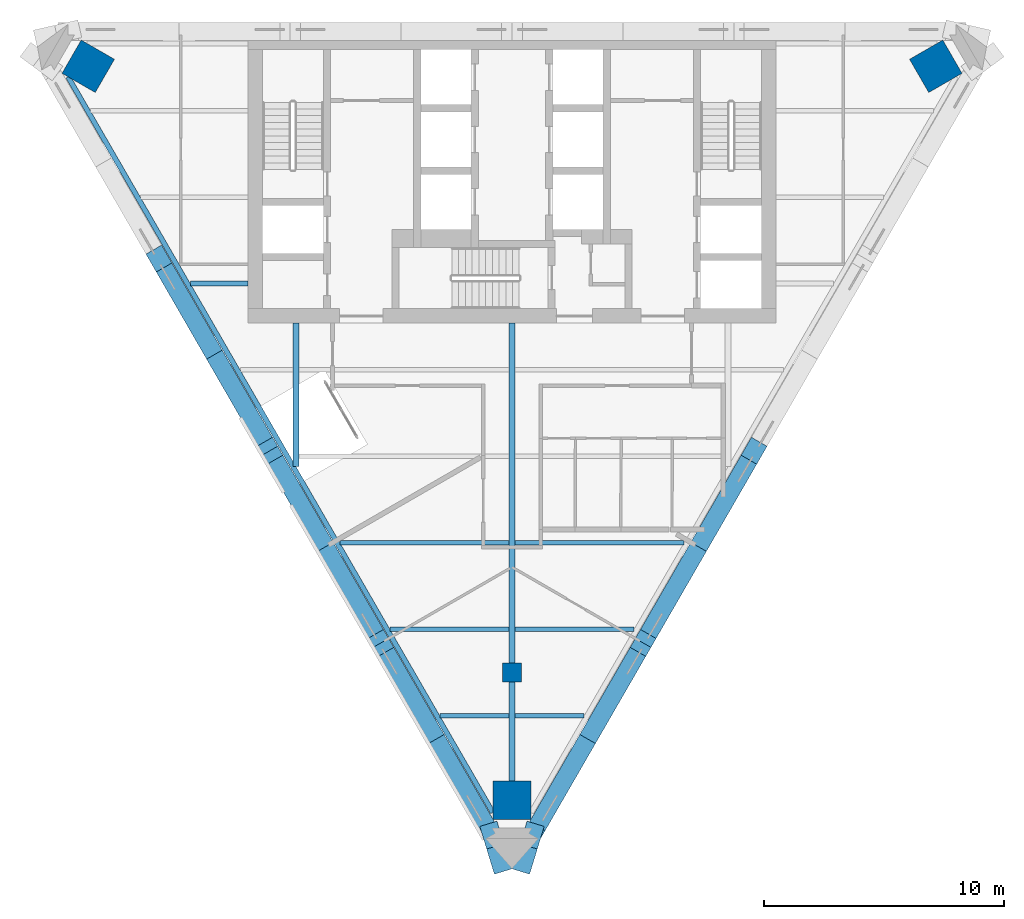
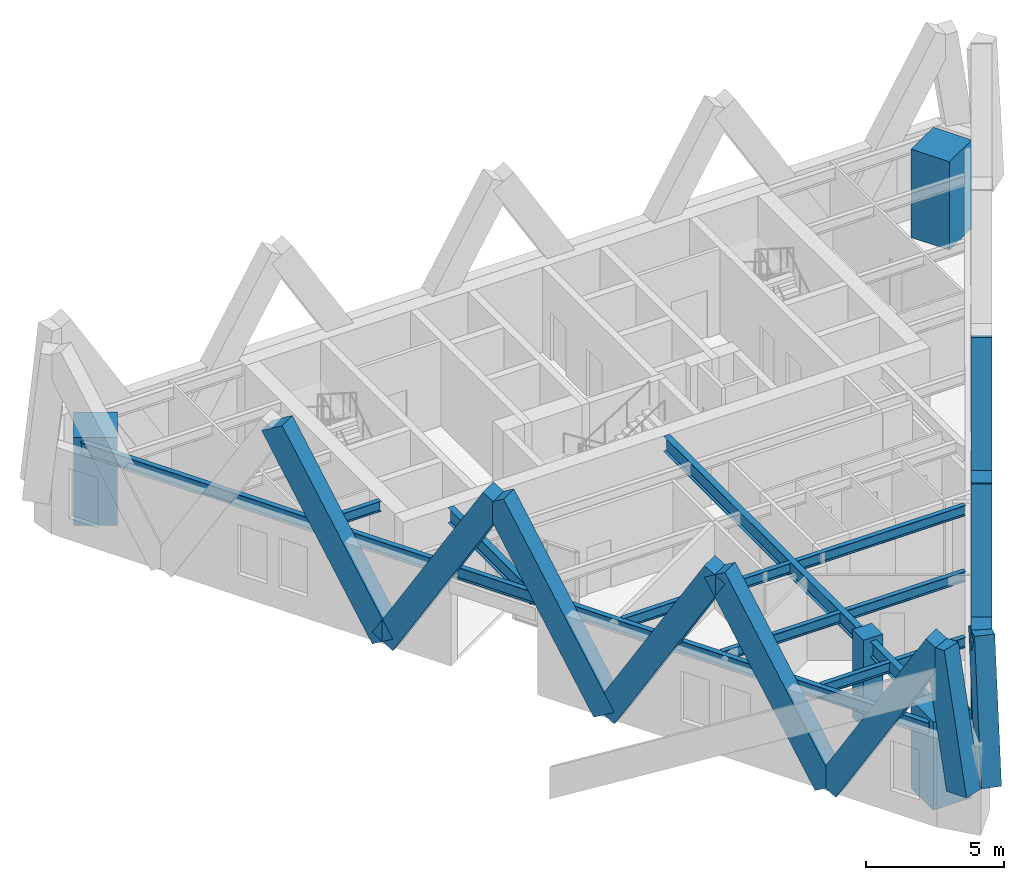
# One storey, part 1 of 8: 12 members, 11 beams, 4 columns.
"""IFC4 building model written with IfcOpenShell, lengths in metres."""

from ifc_helpers import new_model, si_unit, direction, frame, origin, origin_2d, place, context, subcontext, project, spatial, rectangle, i_section, extrude, material, material_profile, profile_set, type_object, element, save


model = new_model("IFC4")

# Units and contexts
model_context = context("Model", 3, precision=1e-05, world=origin(), true_north=direction((0.0, 1.0)))
body_context = subcontext(model_context, "Body", "Model", "MODEL_VIEW")
ifc_project = project(units=[si_unit("LENGTHUNIT", "METRE"), si_unit("AREAUNIT", "SQUARE_METRE"), si_unit("VOLUMEUNIT", "CUBIC_METRE"), si_unit("PLANEANGLEUNIT", "RADIAN"), si_unit("MASSUNIT", "GRAM", prefix="KILO")], contexts=[model_context])

# Site, building, storey
site_placement = place(None, origin())
site = spatial("IfcSite", under=ifc_project, at=site_placement, CompositionType="ELEMENT")
building_placement = place(site_placement, origin())
building = spatial("IfcBuilding", under=site, at=building_placement, Name="Aloe Facet Convention Tower", CompositionType="ELEMENT")
storey_placement = place(building_placement, frame((0.0, 0.0, 262.10009765625)))
storey = spatial("IfcBuildingStorey", under=building, at=storey_placement, Name="L64", CompositionType="ELEMENT", Elevation=262.10009765625)

# Columns
ifc_material_1 = material(Name="Concrete C70/85", Category="concrete")
ifc_material_profile_1 = material_profile(ifc_material_1, rectangle(XDim=0.800048828125, YDim=0.800048828125, at=origin_2d()), Name="SF-GC-Z5")
ifc_profile_set_1 = profile_set([ifc_material_profile_1], Name="Concrete C70/85")
column_type_1 = type_object("IfcColumnType", Name="SF-GC-Z5", PredefinedType="COLUMN", material=ifc_profile_set_1)
column_placement = place(storey_placement, frame((80.0, 108.0, 0.0), z_axis=(0.0, 0.0, 1.0), x_axis=(1.0, 0.0, 0.0)))
element("IfcColumn", 1, at=column_placement, inside=storey, type_object=column_type_1, Name="Gravity column GC-Z5-9D", PredefinedType="COLUMN", context=body_context, shape_type="SweptSolid", body=[
    extrude(rectangle(XDim=0.800048828125, YDim=0.800048828125, at=origin_2d()), origin(), (0.0, 0.0, 1.0), 3.89990234375),
])
ifc_material_2 = material(Name="Concrete C80/95", Category="concrete")
ifc_material_profile_2 = material_profile(ifc_material_2, rectangle(XDim=1.60009765625, YDim=1.60009765625, at=origin_2d()), Name="STW-MC-Z5")
ifc_profile_set_2 = profile_set([ifc_material_profile_2], Name="Concrete C80/95")
column_type_2 = type_object("IfcColumnType", Name="STW-MC-Z5", PredefinedType="COLUMN", material=ifc_profile_set_2)
for number, where, z_axis, x_axis, name in (
    (2, (97.650634765625, 133.247314453125, 0.0), (0.0, 0.0, 1.0), (-0.5, 0.866025403784, 0.0), "Mega-column MC-NE-L64"),
    (3, (62.349365234375, 133.247314453125, 0.0), (0.0, 0.0, 1.0), (-0.5, -0.866025403784, 0.0), "Mega-column MC-NW-L64"),
    (4, (80.0, 102.67578125, 0.0), (0.0, 0.0, 1.0), (1.0, 0.0, 0.0), "Mega-column MC-S-L64"),
):
    element("IfcColumn", number, at=place(storey_placement, frame(where, z_axis=z_axis, x_axis=x_axis)), inside=storey, type_object=column_type_2, Name=name, PredefinedType="COLUMN", context=body_context, shape_type="SweptSolid", body=[
        extrude(rectangle(XDim=1.60009765625, YDim=1.60009765625, at=origin_2d()), origin(), (0.0, 0.0, 1.0), 3.89990234375),
    ])

# Beams
ifc_material_3 = material(Name="Steel S355", Category="steel")
ifc_material_profile_3 = material_profile(ifc_material_3, i_section(OverallWidth=0.19140625, OverallDepth=0.4599609375, WebThickness=0.010009765625, FlangeThickness=0.01611328125, FilletRadius=0.01025390625, at=origin_2d()), Name="UB 457x191x82")
ifc_profile_set_3 = profile_set([ifc_material_profile_3], Name="Steel S355")
beam_type_1 = type_object("IfcBeamType", Name="SF-B-UB457x191x82", PredefinedType="BEAM", material=ifc_profile_set_3)
beam_1_placement = place(storey_placement, frame((66.609130859375, 124.199951171875, 3.52001953125), z_axis=(1.0, 0.0, 0.0), x_axis=(0.0, 1.0, 0.0)))
element("IfcBeam", 5, at=beam_1_placement, inside=storey, type_object=beam_type_1, Name="Floor beam FB-Z5B-011", PredefinedType="BEAM", context=body_context, shape_type="SweptSolid", body=[
    extrude(i_section(OverallWidth=0.19140625, OverallDepth=0.4599609375, WebThickness=0.010009765625, FlangeThickness=0.01611328125, FilletRadius=0.01025390625, at=origin_2d()), origin(), (0.0, 0.0, 1.0), 2.390869140625),
])
beam_2_placement = place(storey_placement, frame((72.844482421875, 113.39990234375, 3.52001953125), z_axis=(1.0, 0.0, 0.0), x_axis=(0.0, 1.0, 0.0)))
element("IfcBeam", 6, at=beam_2_placement, inside=storey, type_object=beam_type_1, Name="Floor beam FB-Z5B-015", PredefinedType="BEAM", context=body_context, shape_type="SweptSolid", body=[
    extrude(i_section(OverallWidth=0.19140625, OverallDepth=0.4599609375, WebThickness=0.010009765625, FlangeThickness=0.01611328125, FilletRadius=0.01025390625, at=origin_2d()), origin(), (0.0, 0.0, 1.0), 7.029052734375),
])
beam_3_placement = place(storey_placement, frame((74.923095703125, 109.800048828125, 3.52001953125), z_axis=(1.0, 0.0, 0.0), x_axis=(0.0, 1.0, 0.0)))
element("IfcBeam", 7, at=beam_3_placement, inside=storey, type_object=beam_type_1, Name="Floor beam FB-Z5B-016", PredefinedType="BEAM", context=body_context, shape_type="SweptSolid", body=[
    extrude(i_section(OverallWidth=0.19140625, OverallDepth=0.4599609375, WebThickness=0.010009765625, FlangeThickness=0.01611328125, FilletRadius=0.01025390625, at=origin_2d()), origin(), (0.0, 0.0, 1.0), 4.950439453125),
])
for number, where, z_axis, x_axis, name in (
    (8, (77.00146484375, 106.199951171875, 3.52001953125), (1.0, 0.0, 0.0), (0.0, 1.0, 0.0), "Floor beam FB-Z5B-017"),
    (9, (80.12646484375, 106.199951171875, 3.52001953125), (1.0, 0.0, 0.0), (0.0, 1.0, 0.0), "Floor beam FB-Z5B-018"),
):
    element("IfcBeam", number, at=place(storey_placement, frame(where, z_axis=z_axis, x_axis=x_axis)), inside=storey, type_object=beam_type_1, Name=name, PredefinedType="BEAM", context=body_context, shape_type="SweptSolid", body=[
        extrude(i_section(OverallWidth=0.19140625, OverallDepth=0.4599609375, WebThickness=0.010009765625, FlangeThickness=0.01611328125, FilletRadius=0.01025390625, at=origin_2d()), origin(), (0.0, 0.0, 1.0), 2.8720703125),
    ])
beam_4_placement = place(storey_placement, frame((80.12646484375, 109.800048828125, 3.52001953125), z_axis=(1.0, 0.0, 0.0), x_axis=(0.0, 1.0, 0.0)))
element("IfcBeam", 10, at=beam_4_placement, inside=storey, type_object=beam_type_1, Name="Floor beam FB-Z5B-019", PredefinedType="BEAM", context=body_context, shape_type="SweptSolid", body=[
    extrude(i_section(OverallWidth=0.19140625, OverallDepth=0.4599609375, WebThickness=0.010009765625, FlangeThickness=0.01611328125, FilletRadius=0.01025390625, at=origin_2d()), origin(), (0.0, 0.0, 1.0), 4.950439453125),
])
beam_5_placement = place(storey_placement, frame((80.12646484375, 113.39990234375, 3.52001953125), z_axis=(1.0, 0.0, 0.0), x_axis=(0.0, 1.0, 0.0)))
element("IfcBeam", 11, at=beam_5_placement, inside=storey, type_object=beam_type_1, Name="Floor beam FB-Z5B-020", PredefinedType="BEAM", context=body_context, shape_type="SweptSolid", body=[
    extrude(i_section(OverallWidth=0.19140625, OverallDepth=0.4599609375, WebThickness=0.010009765625, FlangeThickness=0.01611328125, FilletRadius=0.01025390625, at=origin_2d()), origin(), (0.0, 0.0, 1.0), 7.029052734375),
])
ifc_material_4 = material(Name="Steel S355", Category="steel")
ifc_material_profile_4 = material_profile(ifc_material_4, i_section(OverallWidth=0.209228515625, OverallDepth=0.533203125, WebThickness=0.010009765625, FlangeThickness=0.015625, FilletRadius=0.0126953125, at=origin_2d()), Name="UB 533x210x92")
ifc_profile_set_4 = profile_set([ifc_material_profile_4], Name="Steel S355")
beam_type_2 = type_object("IfcBeamType", Name="SF-B-UB533x210x92", PredefinedType="BEAM", material=ifc_profile_set_4)
beam_6_placement = place(storey_placement, frame((79.199951171875, 102.16552734375, 3.4833984375), z_axis=(-0.499997782969, 0.866026683784, 0.0), x_axis=(-0.866026683784, -0.499997782969, 0.0)))
element("IfcBeam", 12, at=beam_6_placement, inside=storey, type_object=beam_type_2, Name="Floor beam FB-Z5B-002", PredefinedType="BEAM", context=body_context, shape_type="SweptSolid", body=[
    extrude(i_section(OverallWidth=0.209228515625, OverallDepth=0.533203125, WebThickness=0.010009765625, FlangeThickness=0.015625, FilletRadius=0.0126953125, at=origin_2d()), origin(), (0.0, 0.0, 1.0), 35.385009765625),
])
ifc_material_5 = material(Name="Steel S355", Category="steel")
ifc_material_profile_5 = material_profile(ifc_material_5, i_section(OverallWidth=0.2529296875, OverallDepth=0.677978515625, WebThickness=0.01171875, FlangeThickness=0.01611328125, FilletRadius=0.01513671875, at=origin_2d()), Name="UB 686x254x125")
ifc_profile_set_5 = profile_set([ifc_material_profile_5], Name="Steel S355")
beam_type_3 = type_object("IfcBeamType", Name="SF-B-UB686x254x125", PredefinedType="BEAM", material=ifc_profile_set_5)
beam_7_placement = place(storey_placement, frame((71.0, 122.550048828125, 3.410888671875), z_axis=(0.0, -1.0, 0.0), x_axis=(1.0, 0.0, 0.0)))
element("IfcBeam", 13, at=beam_7_placement, inside=storey, type_object=beam_type_3, Name="Floor beam FB-Z5B-005", PredefinedType="BEAM", context=body_context, shape_type="SweptSolid", body=[
    extrude(i_section(OverallWidth=0.2529296875, OverallDepth=0.677978515625, WebThickness=0.01171875, FlangeThickness=0.01611328125, FilletRadius=0.01513671875, at=origin_2d()), origin(), (0.0, 0.0, 1.0), 5.96240234375),
])
beam_8_placement = place(storey_placement, frame((80.0, 107.60009765625, 3.410888671875), z_axis=(0.0, -1.0, 0.0), x_axis=(1.0, 0.0, 0.0)))
element("IfcBeam", 14, at=beam_8_placement, inside=storey, type_object=beam_type_3, Name="Floor beam FB-Z5B-006", PredefinedType="BEAM", context=body_context, shape_type="SweptSolid", body=[
    extrude(i_section(OverallWidth=0.2529296875, OverallDepth=0.677978515625, WebThickness=0.01171875, FlangeThickness=0.01611328125, FilletRadius=0.01513671875, at=origin_2d()), origin(), (0.0, 0.0, 1.0), 5.60498046875),
])
beam_9_placement = place(storey_placement, frame((80.0, 122.550048828125, 3.410888671875), z_axis=(0.0, -1.0, 0.0), x_axis=(1.0, 0.0, 0.0)))
element("IfcBeam", 15, at=beam_9_placement, inside=storey, type_object=beam_type_3, Name="Floor beam FB-Z5B-007", PredefinedType="BEAM", context=body_context, shape_type="SweptSolid", body=[
    extrude(i_section(OverallWidth=0.2529296875, OverallDepth=0.677978515625, WebThickness=0.01171875, FlangeThickness=0.01611328125, FilletRadius=0.01513671875, at=origin_2d()), origin(), (0.0, 0.0, 1.0), 14.150146484375),
])

# Members
ifc_material_6 = material(Name="Concrete C60/75, bronze oxide finish", Category="concrete")
ifc_material_profile_6 = material_profile(ifc_material_6, rectangle(XDim=0.75, YDim=1.0, at=origin_2d()), Name="STW-LM")
ifc_profile_set_6 = profile_set([ifc_material_profile_6], Name="Concrete C60/75, bronze oxide finish")
member_type = type_object("IfcMemberType", Name="STW-LM", PredefinedType="BRACE", material=ifc_profile_set_6)
for number, where, z_axis, x_axis, name in (
    (16, (67.60595703125, 121.237548828125, 0.0), (-0.254879367103, 0.441467759565, 0.860315480211), (-0.866027240882, -0.49999681804, 0.0), "Lattice member LM-Z5-F2-R3-03"),
    (17, (67.60595703125, 121.237548828125, 0.0), (0.2548823971, -0.441446078781, 0.860325707612), (0.866014033677, 0.500019693086, 0.0), "Lattice member LM-Z5-F2-R3-04"),
    (18, (72.2275390625, 113.23291015625, 0.0), (-0.254879367103, 0.441467759565, 0.860315480211), (-0.866027240882, -0.49999681804, 0.0), "Lattice member LM-Z5-F2-R3-05"),
    (19, (72.2275390625, 113.23291015625, 0.0), (0.254879367103, -0.441467759565, 0.860315480211), (0.866027240882, 0.49999681804, 0.0), "Lattice member LM-Z5-F2-R3-06"),
    (20, (76.84912109375, 105.228271484375, 0.0), (-0.2548823971, 0.441446078781, 0.860325707612), (-0.866014033677, -0.500019693086, 0.0), "Lattice member LM-Z5-F2-R3-07"),
    (21, (76.84912109375, 105.228271484375, 0.0), (0.254879367103, -0.441467759565, 0.860315480211), (0.866027240882, 0.49999681804, 0.0), "Lattice member LM-Z5-F2-R3-08"),
    (22, (83.15087890625, 105.228271484375, 0.0), (-0.254879367103, -0.441467759565, 0.860315480211), (0.866027240882, -0.49999681804, 0.0), "Lattice member LM-Z5-F3-R3-01"),
    (23, (83.15087890625, 105.228271484375, 0.0), (0.2548823971, 0.441446078781, 0.860325707612), (-0.866014033677, 0.500019693086, 0.0), "Lattice member LM-Z5-F3-R3-02"),
    (24, (87.7724609375, 113.23291015625, 0.0), (-0.254879367103, -0.441467759565, 0.860315480211), (0.866027240882, -0.49999681804, 0.0), "Lattice member LM-Z5-F3-R3-03"),
    (25, (87.7724609375, 113.23291015625, 0.0), (0.254879367103, 0.441467759565, 0.860315480211), (-0.866027240882, 0.49999681804, 0.0), "Lattice member LM-Z5-F3-R3-04"),
):
    element("IfcMember", number, at=place(storey_placement, frame(where, z_axis=z_axis, x_axis=x_axis)), inside=storey, type_object=member_type, Name=name, PredefinedType="BRACE", context=body_context, shape_type="SweptSolid", body=[
        extrude(rectangle(XDim=0.75, YDim=1.0, at=origin_2d()), origin(), (0.0, 0.0, 1.0), 9.066162109375),
    ])
for number, where, z_axis, x_axis, name in (
    (26, (79.481689453125, 100.176513671875, 1.824462890625), (-0.0529648161, 0.172718345672, 0.983546186675), (-0.956057533565, -0.293179113364, 0.0), "Lattice member LM-Z5-F5-R2-05"),
    (27, (80.518310546875, 100.176513671875, 1.824462890625), (0.0529648161, 0.172718345672, 0.983546186675), (-0.956057533565, 0.293179113364, 0.0), "Lattice member LM-Z5-F5-R2-06"),
):
    element("IfcMember", number, at=place(storey_placement, frame(where, z_axis=z_axis, x_axis=x_axis)), inside=storey, type_object=member_type, Name=name, PredefinedType="BRACE", context=body_context, shape_type="SweptSolid", body=[
        extrude(rectangle(XDim=0.75, YDim=1.0, at=origin_2d()), origin(), (0.0, 0.0, 1.0), 6.0751953125),
    ])

save(model, "model.ifc")
